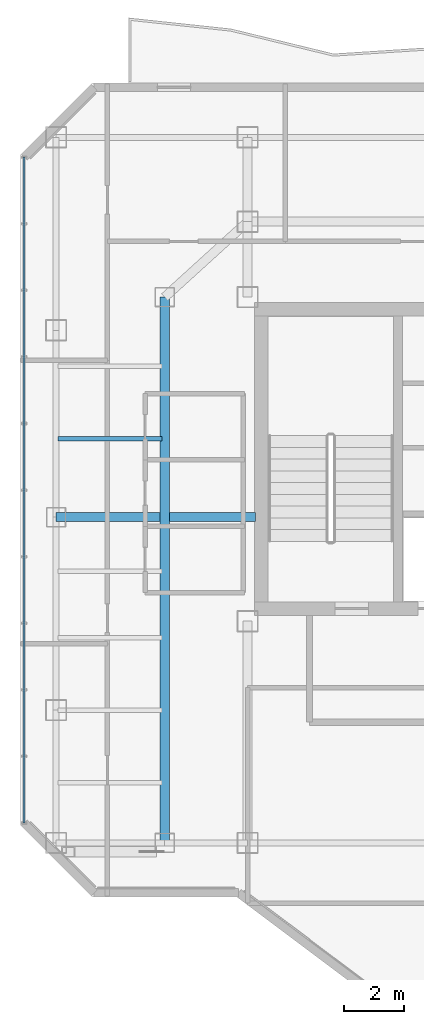
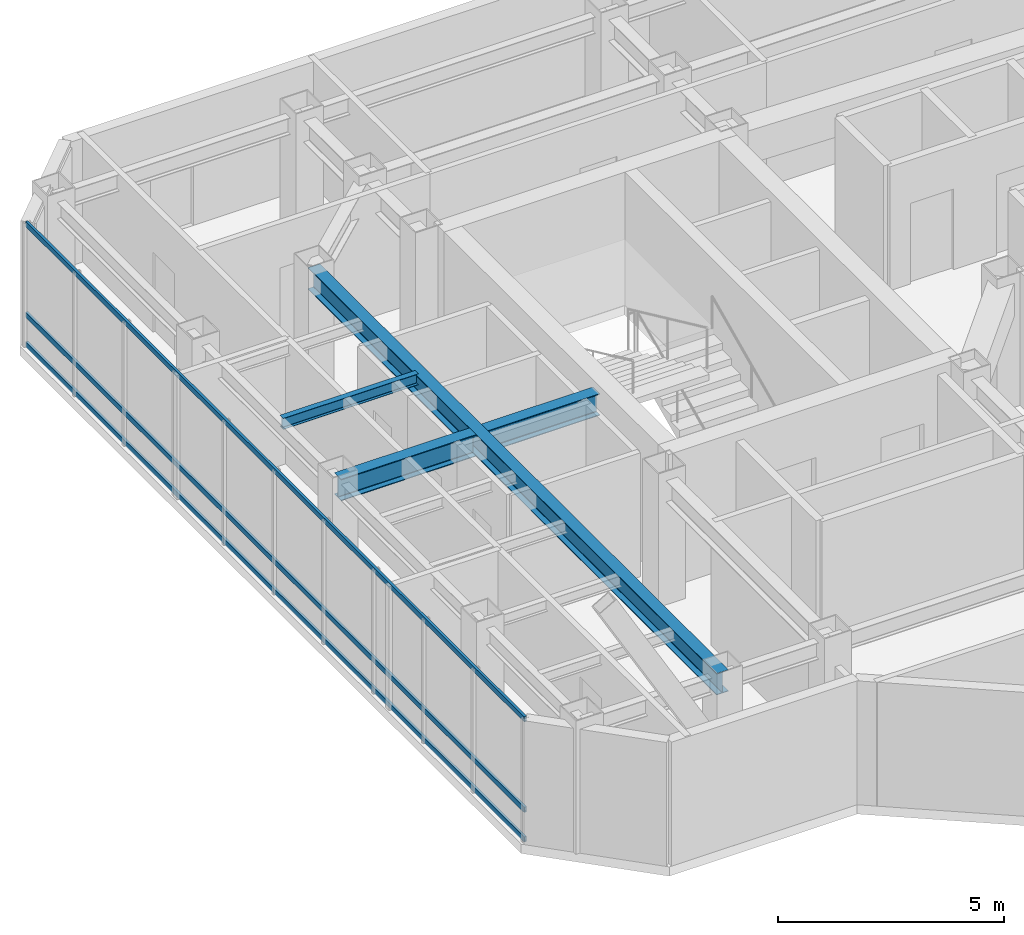
# One storey, part 7 of 25: 4 beams, 3 members, 1 element without a shape of its own.
"""IFC4 building model written with IfcOpenShell, lengths in metres."""

from ifc_helpers import new_model, si_unit, direction, frame, origin, origin_2d, place, context, subcontext, project, spatial, hollow_rectangle, i_section, extrude, material, layer, layer_set, material_profile, profile_set, type_object, element, aggregate, save


model = new_model("IFC4")

# Units and contexts
model_context = context("Model", 3, precision=1e-05, world=origin(), true_north=direction((0.0, 1.0)))
body_context = subcontext(model_context, "Body", "Model", "MODEL_VIEW")
ifc_project = project(units=[si_unit("LENGTHUNIT", "METRE"), si_unit("AREAUNIT", "SQUARE_METRE"), si_unit("VOLUMEUNIT", "CUBIC_METRE"), si_unit("PLANEANGLEUNIT", "RADIAN"), si_unit("MASSUNIT", "GRAM", prefix="KILO")], contexts=[model_context])

# Site, building, storey
site_placement = place(None, origin())
site = spatial("IfcSite", under=ifc_project, at=site_placement, CompositionType="ELEMENT")
building_placement = place(site_placement, origin())
building = spatial("IfcBuilding", under=site, at=building_placement, Name="Hatsunagi Terrace Concourse", CompositionType="ELEMENT")
storey_placement = place(building_placement, frame((0.0, 0.0, 216.75)))
storey = spatial("IfcBuildingStorey", under=building, at=storey_placement, Name="L57", CompositionType="ELEMENT", Elevation=216.75)

# Curtain wall, members
ifc_material_1 = material(Name="Anodised Aluminium Alloy 6063-T5", Category="aluminium")
ifc_layer = layer(ifc_material_1, 0.199951171875)
ifc_layer_set = layer_set([ifc_layer], Name="OfficeZone2_CW04")
curtain_wall_type = type_object("IfcCurtainWallType", Name="OfficeZone2_CW04", PredefinedType="NOTDEFINED", material=ifc_layer_set)
curtain_wall_placement = place(storey_placement, origin())
curtain_wall = element("IfcCurtainWall", 1, at=curtain_wall_placement, inside=storey, type_object=curtain_wall_type, Name="Unitised Curtain Wall CW-04 CW-L57-08", PredefinedType="NOTDEFINED")
ifc_material_2 = material(Name="Anodised Aluminium Alloy 6063-T5", Category="aluminium")
ifc_material_profile_1 = material_profile(ifc_material_2, hollow_rectangle(XDim=0.06494140625, YDim=0.139892578125, WallThickness=0.00390625, at=origin_2d()), Name="ALU-TRN-140x65x4")
ifc_profile_set_1 = profile_set([ifc_material_profile_1], Name="Anodised Aluminium Alloy 6063-T5")
member_type = type_object("IfcMemberType", Name="CurtainWallTransom_140x65", PredefinedType="USERDEFINED", material=ifc_profile_set_1)
member_1_placement = place(storey_placement, frame((18.139892578125, 25.85791015625, 0.050048828125), z_axis=(0.0, 1.0, 0.0), x_axis=(-1.0, 0.0, 0.0)))
member_1 = element("IfcMember", 2, at=member_1_placement, type_object=member_type, Name="Curtain Wall Transom TRN-02", ObjectType="TRANSOM", PredefinedType="USERDEFINED", context=body_context, shape_type="SweptSolid", body=[
    extrude(hollow_rectangle(XDim=0.06494140625, YDim=0.139892578125, WallThickness=0.00390625, at=origin_2d()), origin(), (0.0, 0.0, 1.0), 22.083984375),
])
member_2_placement = place(storey_placement, frame((18.139892578125, 25.85791015625, 0.85009765625), z_axis=(0.0, 1.0, 0.0), x_axis=(-1.0, 0.0, 0.0)))
member_2 = element("IfcMember", 3, at=member_2_placement, type_object=member_type, Name="Curtain Wall Transom TRN-02", ObjectType="TRANSOM", PredefinedType="USERDEFINED", context=body_context, shape_type="SweptSolid", body=[
    extrude(hollow_rectangle(XDim=0.06494140625, YDim=0.139892578125, WallThickness=0.00390625, at=origin_2d()), origin(), (0.0, 0.0, 1.0), 22.083984375),
])
member_3_placement = place(storey_placement, frame((18.139892578125, 25.85791015625, 3.300048828125), z_axis=(0.0, 1.0, 0.0), x_axis=(-1.0, 0.0, 0.0)))
member_3 = element("IfcMember", 4, at=member_3_placement, type_object=member_type, Name="Curtain Wall Transom TRN-02", ObjectType="TRANSOM", PredefinedType="USERDEFINED", context=body_context, shape_type="SweptSolid", body=[
    extrude(hollow_rectangle(XDim=0.06494140625, YDim=0.139892578125, WallThickness=0.00390625, at=origin_2d()), origin(), (0.0, 0.0, 1.0), 22.083984375),
])
aggregate(curtain_wall, [member_1, member_2, member_3])

# Beams
ifc_material_3 = material(Name="Steel SN490B", Category="steel")
ifc_material_profile_2 = material_profile(ifc_material_3, i_section(OverallWidth=0.300048828125, OverallDepth=0.587890625, WebThickness=0.011962890625, FlangeThickness=0.02001953125, FilletRadius=0.01806640625, at=origin_2d()), Name="H-588x300x12x20")
ifc_profile_set_2 = profile_set([ifc_material_profile_2], Name="Steel SN490B")
beam_type_1 = type_object("IfcBeamType", Name="OfficeHighGirder_H_588x300", PredefinedType="BEAM", material=ifc_profile_set_2)
beam_1_placement = place(storey_placement, frame((22.800048828125, 25.199951171875, 3.055908203125), z_axis=(0.0, 1.0, 0.0), x_axis=(-1.0, 0.0, 0.0)))
element("IfcBeam", 5, at=beam_1_placement, inside=storey, type_object=beam_type_1, Name="Beam G-06 BM-L57-CWNS", PredefinedType="BEAM", context=body_context, shape_type="SweptSolid", body=[
    extrude(i_section(OverallWidth=0.300048828125, OverallDepth=0.587890625, WebThickness=0.011962890625, FlangeThickness=0.02001953125, FilletRadius=0.01806640625, at=origin_2d()), origin(), (0.0, 0.0, 1.0), 18.10009765625),
])
beam_2_placement = place(storey_placement, frame((19.199951171875, 36.0, 3.055908203125), z_axis=(1.0, 0.0, 0.0), x_axis=(0.0, 1.0, 0.0)))
element("IfcBeam", 6, at=beam_2_placement, inside=storey, type_object=beam_type_1, Name="Beam G-06 BM-L57-EW-3", PredefinedType="BEAM", context=body_context, shape_type="SweptSolid", body=[
    extrude(i_section(OverallWidth=0.300048828125, OverallDepth=0.587890625, WebThickness=0.011962890625, FlangeThickness=0.02001953125, FilletRadius=0.01806640625, at=origin_2d()), origin(), (0.0, 0.0, 1.0), 3.449951171875),
])
beam_3_placement = place(storey_placement, frame((22.949951171875, 36.0, 3.055908203125), z_axis=(1.0, 0.0, 0.0), x_axis=(0.0, 1.0, 0.0)))
element("IfcBeam", 7, at=beam_3_placement, inside=storey, type_object=beam_type_1, Name="Beam G-06 BM-L57-EW-4", PredefinedType="BEAM", context=body_context, shape_type="SweptSolid", body=[
    extrude(i_section(OverallWidth=0.300048828125, OverallDepth=0.587890625, WebThickness=0.011962890625, FlangeThickness=0.02001953125, FilletRadius=0.01806640625, at=origin_2d()), origin(), (0.0, 0.0, 1.0), 2.860107421875),
])
ifc_material_4 = material(Name="Steel SN490B", Category="steel")
ifc_material_profile_3 = material_profile(ifc_material_4, i_section(OverallWidth=0.14990234375, OverallDepth=0.300048828125, WebThickness=0.006591796875, FlangeThickness=0.009033203125, FilletRadius=0.010986328125, at=origin_2d()), Name="H-300x150x6.5x9")
ifc_profile_set_3 = profile_set([ifc_material_profile_3], Name="Steel SN490B")
beam_type_2 = type_object("IfcBeamType", Name="OfficeJoist_H_300x150", PredefinedType="JOIST", material=ifc_profile_set_3)
beam_4_placement = place(storey_placement, frame((19.264892578125, 38.60009765625, 3.199951171875), z_axis=(1.0, 0.0, 0.0), x_axis=(0.0, 1.0, 0.0)))
element("IfcBeam", 8, at=beam_4_placement, inside=storey, type_object=beam_type_2, Name="Beam J-03 J-L57-W-19-386", PredefinedType="JOIST", context=body_context, shape_type="SweptSolid", body=[
    extrude(i_section(OverallWidth=0.14990234375, OverallDepth=0.300048828125, WebThickness=0.006591796875, FlangeThickness=0.009033203125, FilletRadius=0.010986328125, at=origin_2d()), origin(), (0.0, 0.0, 1.0), 3.4501953125),
])

save(model, "model.ifc")
